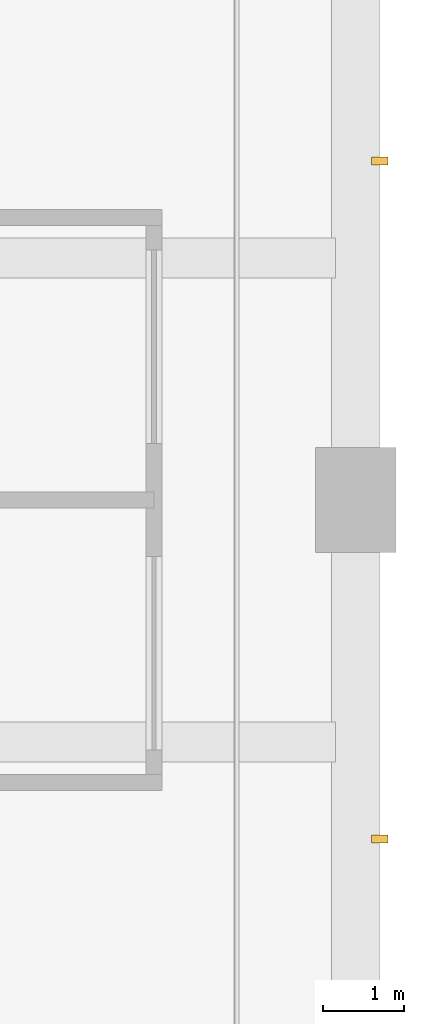
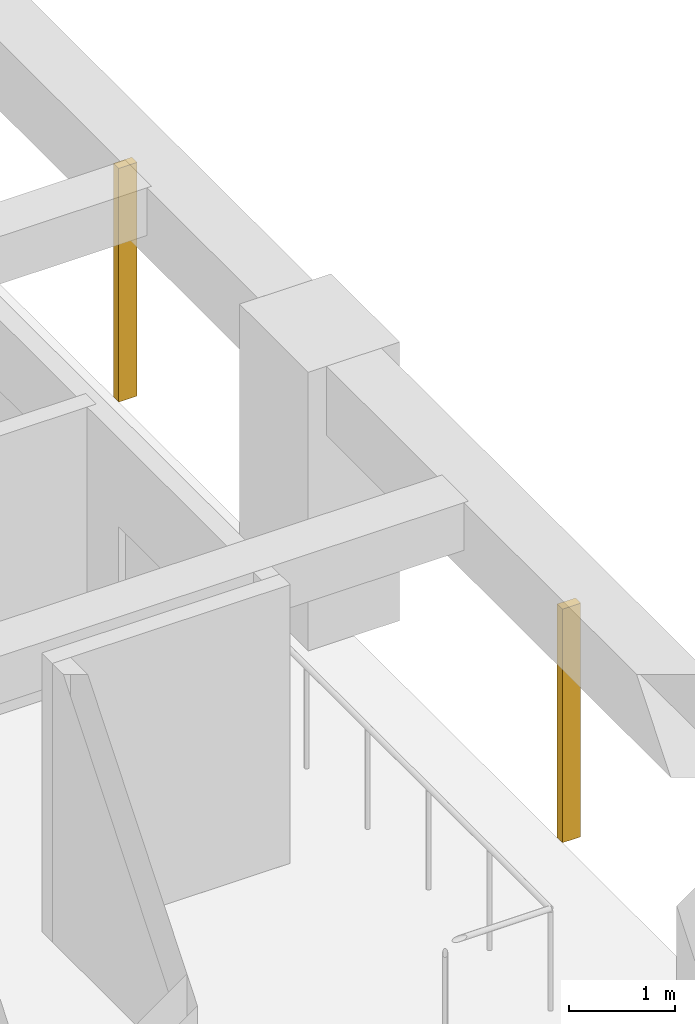
# One storey, part 16 of 17: 2 shading devices.
"""IFC4 building model written with IfcOpenShell, lengths in metres."""

from ifc_helpers import new_model, si_unit, direction, frame, origin, origin_2d, place, context, subcontext, project, spatial, rectangle, extrude, material, material_profile, profile_set, type_object, element, save


model = new_model("IFC4")

# Units and contexts
model_context = context("Model", 3, precision=1e-05, world=origin(), true_north=direction((0.0, 1.0)))
body_context = subcontext(model_context, "Body", "Model", "MODEL_VIEW")
ifc_project = project(units=[si_unit("LENGTHUNIT", "METRE"), si_unit("AREAUNIT", "SQUARE_METRE"), si_unit("VOLUMEUNIT", "CUBIC_METRE"), si_unit("PLANEANGLEUNIT", "RADIAN"), si_unit("MASSUNIT", "GRAM", prefix="KILO")], contexts=[model_context])

# Site, building, storey
site_placement = place(None, origin())
site = spatial("IfcSite", under=ifc_project, at=site_placement, CompositionType="ELEMENT")
building_placement = place(site_placement, origin())
building = spatial("IfcBuilding", under=site, at=building_placement, Name="Vermilion Gate Residences", CompositionType="ELEMENT")
storey_placement = place(building_placement, frame((0.0, 0.0, 98.699951171875)))
storey = spatial("IfcBuildingStorey", under=building, at=storey_placement, Name="L24", CompositionType="ELEMENT", Elevation=98.699951171875)

# Shading devices
ifc_material = material(Name="Extruded terracotta", Category="masonry")
ifc_material_profile = material_profile(ifc_material, rectangle(XDim=0.199951171875, YDim=0.10009765625, at=origin_2d()), Name="BAGUETTE 100 X 200")
ifc_profile_set = profile_set([ifc_material_profile], Name="Extruded terracotta")
shading_device_type = type_object("IfcShadingDeviceType", Name="TERRACOTTA BAGUETTE 100 X 200", PredefinedType="JALOUSIE", material=ifc_profile_set)
for number, where, z_axis, x_axis, name in (
    (1, (67.5, 12.60009765625, -0.280029296875), (0.0, 0.0, 1.0), (-1.0, 0.0, 0.0), "BAGUETTE"),
    (2, (67.5, 21.0, -0.280029296875), (0.0, 0.0, 1.0), (-1.0, 0.0, 0.0), "BAGUETTE"),
):
    element("IfcShadingDevice", number, at=place(storey_placement, frame(where, z_axis=z_axis, x_axis=x_axis)), inside=storey, type_object=shading_device_type, Name=name, PredefinedType="JALOUSIE", context=body_context, shape_type="SweptSolid", body=[
        extrude(rectangle(XDim=0.199951171875, YDim=0.10009765625, at=origin_2d()), origin(), (0.0, 0.0, 1.0), 2.7001953125),
    ])

save(model, "model.ifc")
